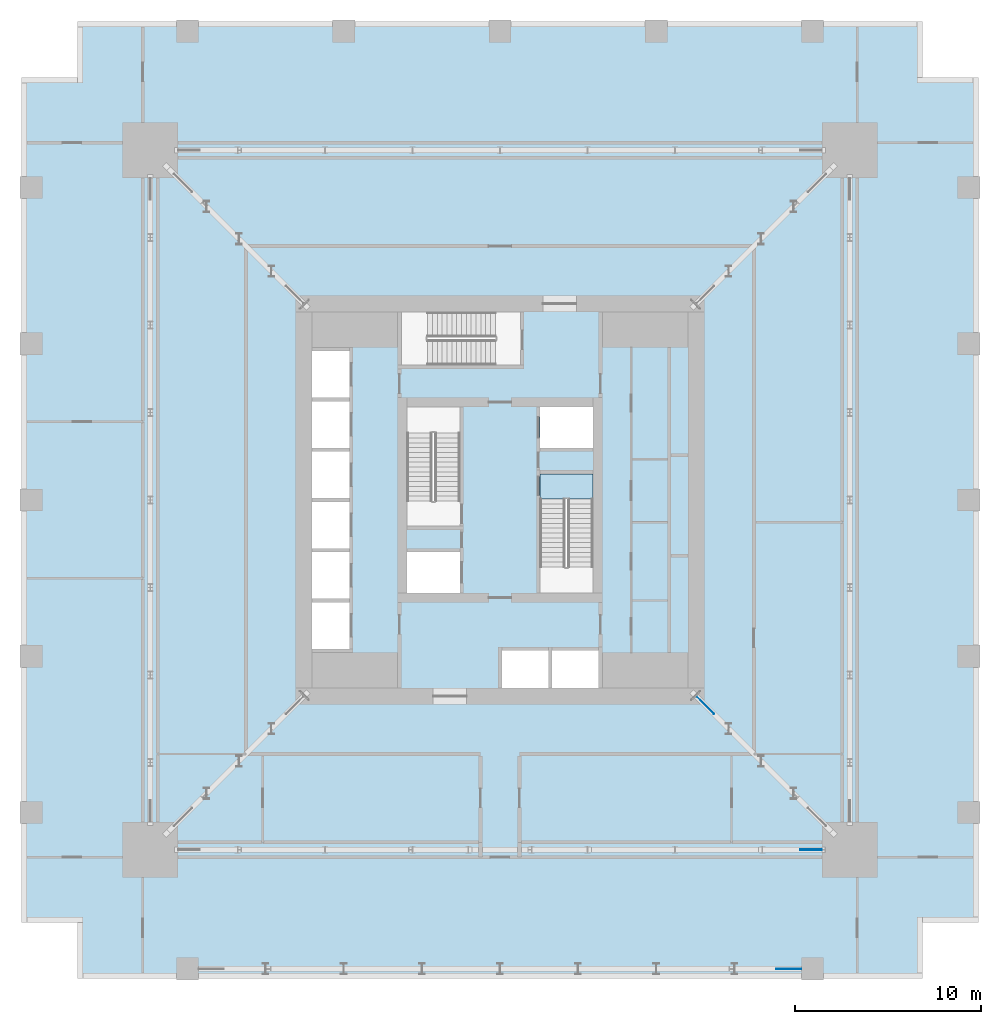
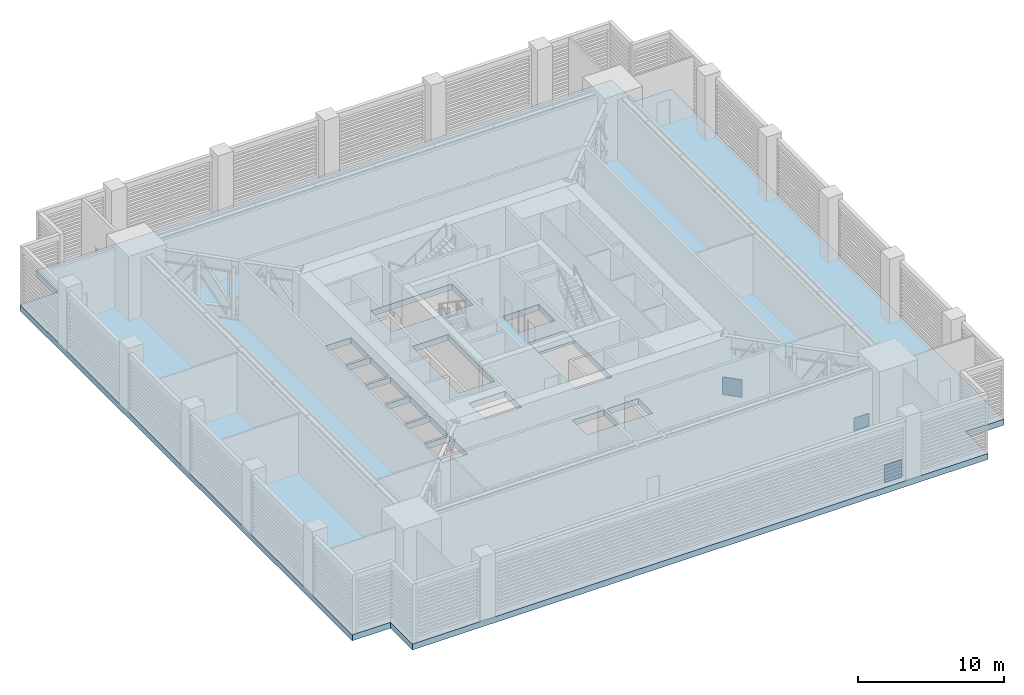
# One storey, part 6 of 17: 3 plates, 2 slabs, 1 element without a shape of its own.
"""IFC4 building model written with IfcOpenShell, lengths in metres."""

from ifc_helpers import new_model, si_unit, direction, frame, origin, origin_2d, place, context, subcontext, project, spatial, polyline, rectangle, outline, extrude, material, layer, layer_set, type_object, element, aggregate, save


model = new_model("IFC4")

# Units and contexts
model_context = context("Model", 3, precision=1e-05, world=origin(), true_north=direction((0.0, 1.0)))
body_context = subcontext(model_context, "Body", "Model", "MODEL_VIEW")
ifc_project = project(units=[si_unit("LENGTHUNIT", "METRE"), si_unit("AREAUNIT", "SQUARE_METRE"), si_unit("VOLUMEUNIT", "CUBIC_METRE"), si_unit("PLANEANGLEUNIT", "RADIAN"), si_unit("MASSUNIT", "GRAM", prefix="KILO")], contexts=[model_context])

# Site, building, storey
site_placement = place(None, origin())
site = spatial("IfcSite", under=ifc_project, at=site_placement, CompositionType="ELEMENT")
building_placement = place(site_placement, origin())
building = spatial("IfcBuilding", under=site, at=building_placement, Name="Khepri Terraces", CompositionType="ELEMENT")
storey_placement = place(building_placement, frame((0.0, 0.0, 73.800048828125)))
storey = spatial("IfcBuildingStorey", under=building, at=storey_placement, Name="L17", CompositionType="ELEMENT", Elevation=73.800048828125)

# Plates
ifc_material_1 = material(Name="Steel S355", Category="steel")
ifc_layer_1 = layer(ifc_material_1, 0.030029296875, Name="Steel S355", Category="steel")
ifc_layer_set_1 = layer_set([ifc_layer_1], Name="Steel S355")
plate_type_1 = type_object("IfcPlateType", Name="Gusset plate 1150x1150x30", PredefinedType="USERDEFINED", material=ifc_layer_set_1)
plate_placement = place(storey_placement, frame((16.72509765625, -18.800048828125, -0.10009765625), z_axis=(0.0, 0.0, 1.0), x_axis=(1.0, 0.0, 0.0)))
element("IfcPlate", 1, at=plate_placement, inside=storey, type_object=plate_type_1, Name="GUSSET PLATE BT-17-S column node B", ObjectType="GUSSET PLATE", PredefinedType="USERDEFINED", context=body_context, shape_type="SweptSolid", body=[
    extrude(rectangle(XDim=1.14990234375, YDim=0.030029296875, at=origin_2d()), origin(), (0.0, 0.0, 1.0), 1.14990234375),
])
ifc_layer_2 = layer(ifc_material_1, 0.034912109375, Name="Steel S355", Category="steel")
ifc_layer_set_2 = layer_set([ifc_layer_2], Name="Steel S355")
plate_type_2 = type_object("IfcPlateType", Name="Gusset plate 1350x1550x35", PredefinedType="USERDEFINED", material=ifc_layer_set_2)
for number, where, z_axis, x_axis, name in (
    (2, (11.02734375, -11.02734375, -0.10009765625), (0.0, 0.0, 1.0), (0.707106781187, -0.707106781187, 0.0), "GUSSET PLATE OT-17-ES node A"),
    (3, (15.52490234375, -25.199951171875, -0.10009765625), (0.0, 0.0, 1.0), (1.0, 0.0, 0.0), "GUSSET PLATE TT-17-S column node B"),
):
    element("IfcPlate", number, at=place(storey_placement, frame(where, z_axis=z_axis, x_axis=x_axis)), inside=storey, type_object=plate_type_2, Name=name, ObjectType="GUSSET PLATE", PredefinedType="USERDEFINED", context=body_context, shape_type="SweptSolid", body=[
        extrude(rectangle(XDim=1.35009765625, YDim=0.034912109375, at=origin_2d()), origin(), (0.0, 0.0, 1.0), 1.550048828125),
    ])

# Slab
ifc_material_2 = material(Name="Concrete C40/50", Category="concrete")
ifc_layer_3 = layer(ifc_material_2, 0.5, Name="Concrete C40/50", Category="concrete")
ifc_layer_set_3 = layer_set([ifc_layer_3], Name="Concrete C40/50")
slab_type_1 = type_object("IfcSlabType", Name="Plant floor slab 500", PredefinedType="FLOOR", material=ifc_layer_set_3)
slab_1_placement = place(storey_placement, frame((0.0, 0.0, -0.5)))
element("IfcSlab", 4, at=slab_1_placement, inside=storey, type_object=slab_type_1, Name="Floor slab F01 L17", PredefinedType="FLOOR", context=body_context, shape_type="SweptSolid", body=[
    extrude(outline(polyline([(22.719970703125, -22.719970703125), (22.719970703125, -25.719970703125), (-22.719970703125, -25.719970703125), (-22.719970703125, -22.719970703125), (-25.719970703125, -22.719970703125), (-25.719970703125, 22.719970703125), (-22.719970703125, 22.719970703125), (-22.719970703125, 25.719970703125), (22.719970703125, 25.719970703125), (22.719970703125, 22.719970703125), (25.719970703125, 22.719970703125), (25.719970703125, -22.719970703125), (22.719970703125, -22.719970703125)]), holes=[polyline([(5.0, 5.0), (2.14990234375, 5.0), (2.14990234375, 2.800048828125), (5.0, 2.800048828125), (5.0, 5.0)]), polyline([(-2.14990234375, -5.0), (-2.14990234375, -2.800048828125), (-5.0, -2.800048828125), (-5.0, -5.0), (-2.14990234375, -5.0)]), polyline([(-10.10009765625, -8.0), (-8.10009765625, -8.0), (-8.10009765625, -5.5), (-10.10009765625, -5.5), (-10.10009765625, -8.0)]), polyline([(-10.10009765625, -2.800048828125), (-10.10009765625, -5.300048828125), (-8.10009765625, -5.300048828125), (-8.10009765625, -2.800048828125), (-10.10009765625, -2.800048828125)]), polyline([(-8.10009765625, -0.10009765625), (-10.10009765625, -0.10009765625), (-10.10009765625, -2.60009765625), (-8.10009765625, -2.60009765625), (-8.10009765625, -0.10009765625)]), polyline([(-8.10009765625, 0.10009765625), (-8.10009765625, 2.60009765625), (-10.10009765625, 2.60009765625), (-10.10009765625, 0.10009765625), (-8.10009765625, 0.10009765625)]), polyline([(-10.10009765625, 2.800048828125), (-8.10009765625, 2.800048828125), (-8.10009765625, 5.300048828125), (-10.10009765625, 5.300048828125), (-10.10009765625, 2.800048828125)]), polyline([(-10.10009765625, 8.0), (-10.10009765625, 5.5), (-8.10009765625, 5.5), (-8.10009765625, 8.0), (-10.10009765625, 8.0)]), polyline([(2.60009765625, -8.10009765625), (0.10009765625, -8.10009765625), (0.10009765625, -10.10009765625), (2.60009765625, -10.10009765625), (2.60009765625, -8.10009765625)]), polyline([(5.300048828125, -10.10009765625), (5.300048828125, -8.10009765625), (2.800048828125, -8.10009765625), (2.800048828125, -10.10009765625), (5.300048828125, -10.10009765625)]), polyline([(-5.0, -1.39990234375), (-2.14990234375, -1.39990234375), (-2.14990234375, 5.0), (-5.0, 5.0), (-5.0, -1.39990234375)]), polyline([(5.0, -5.0), (5.0, 1.39990234375), (2.14990234375, 1.39990234375), (2.14990234375, -5.0), (5.0, -5.0)]), polyline([(-5.300048828125, 10.10009765625), (-5.300048828125, 7.25), (1.10009765625, 7.25), (1.10009765625, 10.10009765625), (-5.300048828125, 10.10009765625)])]), origin(), (0.0, 0.0, 1.0), 0.5),
])

# Stair, slab
stair_type = type_object("IfcStairType", Name="STAIR-RC-30R", PredefinedType="HALF_TURN_STAIR", material=ifc_material_2)
stair_placement = place(storey_placement, origin())
stair = element("IfcStair", 5, at=stair_placement, inside=storey, type_object=stair_type, Name="L17 Exit Stair ST-2", PredefinedType="HALF_TURN_STAIR")
ifc_layer_4 = layer(ifc_material_2, 0.199951171875, Name="Concrete C40/50", Category="concrete")
ifc_layer_set_4 = layer_set([ifc_layer_4], Name="Concrete C40/50")
slab_type_2 = type_object("IfcSlabType", Name="SLB-CORE-LANDING", PredefinedType="LANDING", material=ifc_layer_set_4)
slab_2_placement = place(storey_placement, frame((0.0, 0.0, -0.199951171875)))
slab_2 = element("IfcSlab", 6, at=slab_2_placement, type_object=slab_type_2, Name="ST-2 landing 1", PredefinedType="LANDING", context=body_context, shape_type="SweptSolid", body=[
    extrude(outline(polyline([(2.14990234375, 1.39990234375), (2.14990234375, 0.050048828125), (5.0, 0.050048828125), (5.0, 1.39990234375), (2.14990234375, 1.39990234375)])), origin(), (0.0, 0.0, 1.0), 0.199951171875),
])
aggregate(stair, [slab_2])

save(model, "model.ifc")
